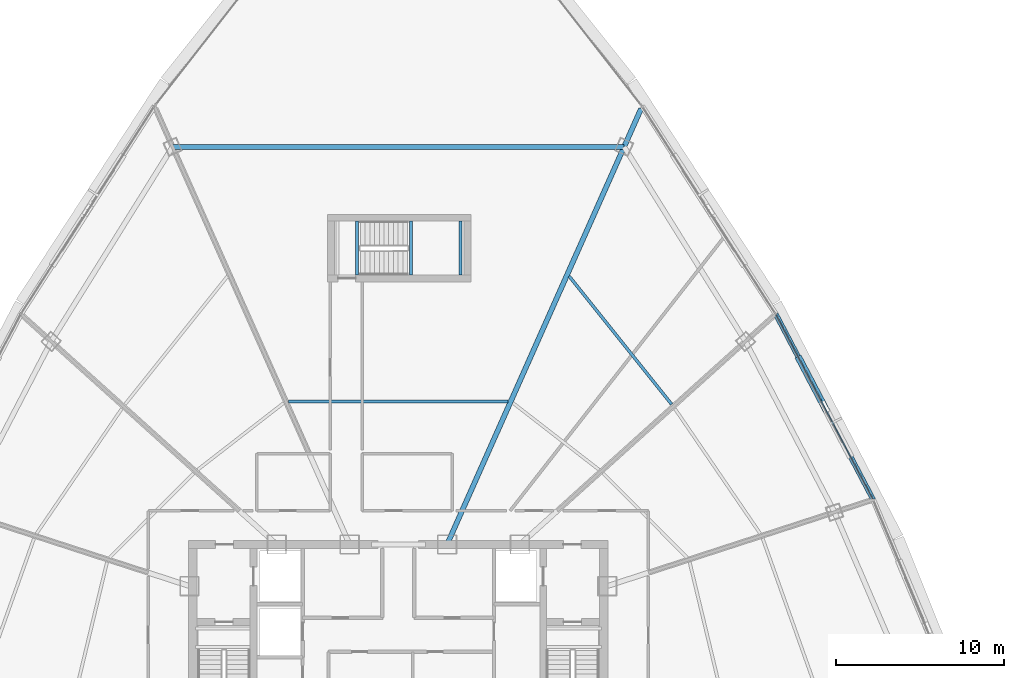
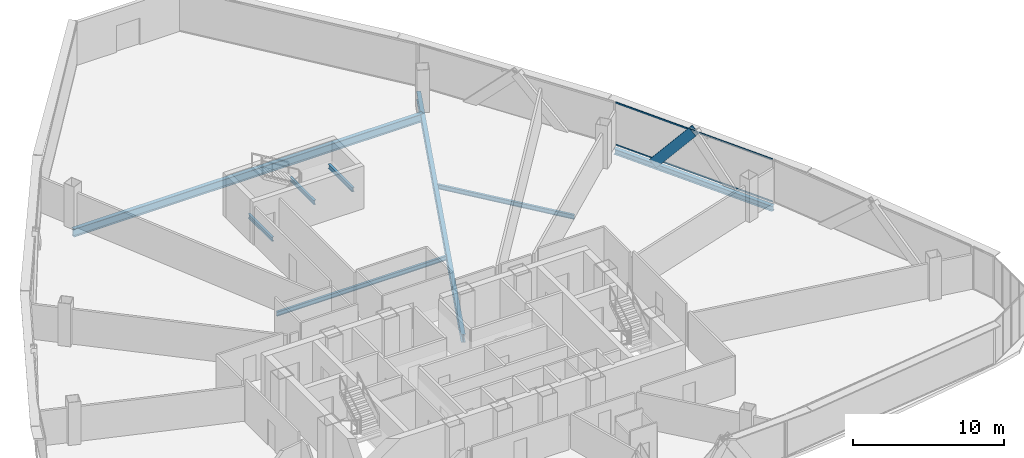
# One storey, part 20 of 36: 8 beams, 3 members, 1 element without a shape of its own.
"""IFC4 building model written with IfcOpenShell, lengths in metres."""

from ifc_helpers import new_model, si_unit, direction, frame, origin, origin_2d, place, context, subcontext, project, spatial, hollow_rectangle, i_section, extrude, source, transform, mapped, material, layer, layer_set, material_profile, profile_set, type_object, element, aggregate, save


model = new_model("IFC4")

# Units and contexts
model_context = context("Model", 3, precision=1e-05, world=origin(), true_north=direction((0.0, 1.0)))
body_context = subcontext(model_context, "Body", "Model", "MODEL_VIEW")
ifc_project = project(units=[si_unit("LENGTHUNIT", "METRE"), si_unit("AREAUNIT", "SQUARE_METRE"), si_unit("VOLUMEUNIT", "CUBIC_METRE"), si_unit("PLANEANGLEUNIT", "RADIAN"), si_unit("MASSUNIT", "GRAM", prefix="KILO"), si_unit("THERMODYNAMICTEMPERATUREUNIT", "KELVIN"), si_unit("POWERUNIT", "WATT")], contexts=[model_context])

# Site, building, storey
site_placement = place(None, origin())
site = spatial("IfcSite", under=ifc_project, at=site_placement, CompositionType="ELEMENT")
building_placement = place(site_placement, origin())
building = spatial("IfcBuilding", under=site, at=building_placement, Name="Yunzhuo Pagoda Commons", CompositionType="ELEMENT")
storey_placement = place(building_placement, frame((0.0, 0.0, 244.530029296875)))
storey = spatial("IfcBuildingStorey", under=building, at=storey_placement, Name="L61", CompositionType="ELEMENT", Elevation=244.530029296875)

# Beams
ifc_material_1 = material(Name="Structural steel Q355B", Category="steel")
ifc_material_profile_1 = material_profile(ifc_material_1, i_section(OverallWidth=0.175048828125, OverallDepth=0.35009765625, WebThickness=0.007080078125, FlangeThickness=0.010986328125, at=origin_2d()), Name="Structural steel Q355B")
ifc_profile_set_1 = profile_set([ifc_material_profile_1], Name="Structural steel Q355B")
beam_type_1 = type_object("IfcBeamType", Name="B-JS2 Joist HN 350x175x7x11", PredefinedType="JOIST", material=ifc_profile_set_1)
shared_shape_1 = source(origin(), body_context, "Body", "SweptSolid", [
    extrude(i_section(OverallWidth=0.175048828125, OverallDepth=0.35009765625, WebThickness=0.007080078125, FlangeThickness=0.010986328125, at=origin_2d()), origin(), (0.0, 0.0, 1.0), 3.199951171875),
])
for number, where, z_axis, x_axis, name in (
    (1, (48.75, 56.199951171875, 1.490234375), (0.0, 1.0, 0.0), (-1.0, 0.0, 0.0), "L61 ST3 landing support beam 67A"),
    (2, (51.699951171875, 56.199951171875, 1.490234375), (0.0, 1.0, 0.0), (-1.0, 0.0, 0.0), "L61 ST3 landing support beam 67B"),
    (3, (45.550048828125, 56.199951171875, -0.375), (0.0, 1.0, 0.0), (-1.0, 0.0, 0.0), "L61 ST3 landing support beam 135B"),
):
    element("IfcBeam", number, at=place(storey_placement, frame(where, z_axis=z_axis, x_axis=x_axis)), inside=storey, type_object=beam_type_1, Name=name, PredefinedType="JOIST", context=body_context, shape_type="MappedRepresentation", body=[
        mapped(shared_shape_1, transform((0.0, 0.0, 0.0), scale=1.0)),
    ])
ifc_material_profile_2 = material_profile(ifc_material_1, i_section(OverallWidth=0.300048828125, OverallDepth=0.64990234375, WebThickness=0.012939453125, FlangeThickness=0.02197265625, at=origin_2d()), Name="Structural steel Q355B")
ifc_profile_set_2 = profile_set([ifc_material_profile_2], Name="Structural steel Q355B")
beam_type_2 = type_object("IfcBeamType", Name="B-RG2 Beam HN 650x300x13x22", PredefinedType="BEAM", material=ifc_profile_set_2)
shared_shape_2 = source(origin(), body_context, "Body", "SweptSolid", [
    extrude(i_section(OverallWidth=0.300048828125, OverallDepth=0.64990234375, WebThickness=0.012939453125, FlangeThickness=0.02197265625, at=origin_2d()), origin(), (0.0, 0.0, 1.0), 26.8134765625),
])
beam_1_placement = place(storey_placement, frame((61.40673828125, 63.81201171875, -0.5849609375), z_axis=(-1.0, 0.0, 0.0), x_axis=(0.0, -1.0, 0.0)))
element("IfcBeam", 4, at=beam_1_placement, inside=storey, type_object=beam_type_2, Name="L61 column-ring beam 8", PredefinedType="BEAM", context=body_context, shape_type="MappedRepresentation", body=[
    mapped(shared_shape_2, transform((0.0, 0.0, 0.0), scale=1.0)),
])
shared_shape_3 = source(origin(), body_context, "Body", "SweptSolid", [
    extrude(i_section(OverallWidth=0.175048828125, OverallDepth=0.35009765625, WebThickness=0.007080078125, FlangeThickness=0.010986328125, at=origin_2d()), origin(), (0.0, 0.0, 1.0), 9.741455078125),
])
beam_2_placement = place(storey_placement, frame((64.226806640625, 48.5244140625, -0.43505859375), z_axis=(-0.624618636222, 0.780929932378, 0.0), x_axis=(-0.780929932378, -0.624618636222, 0.0)))
element("IfcBeam", 5, at=beam_2_placement, inside=storey, type_object=beam_type_1, Name="L61 composite ring joist 2.7", PredefinedType="JOIST", context=body_context, shape_type="MappedRepresentation", body=[
    mapped(shared_shape_3, transform((0.0, 0.0, 0.0), scale=1.0)),
])
shared_shape_4 = source(origin(), body_context, "Body", "SweptSolid", [
    extrude(i_section(OverallWidth=0.175048828125, OverallDepth=0.35009765625, WebThickness=0.007080078125, FlangeThickness=0.010986328125, at=origin_2d()), origin(), (0.0, 0.0, 1.0), 13.0390625),
])
beam_3_placement = place(storey_placement, frame((54.51953125, 48.7001953125, -0.43505859375), z_axis=(-1.0, 0.0, 0.0), x_axis=(0.0, -1.0, 0.0)))
element("IfcBeam", 6, at=beam_3_placement, inside=storey, type_object=beam_type_1, Name="L61 composite ring joist 1.8", PredefinedType="JOIST", context=body_context, shape_type="MappedRepresentation", body=[
    mapped(shared_shape_4, transform((0.0, 0.0, 0.0), scale=1.0)),
])
shared_shape_5 = source(origin(), body_context, "Body", "SweptSolid", [
    extrude(i_section(OverallWidth=0.300048828125, OverallDepth=0.64990234375, WebThickness=0.012939453125, FlangeThickness=0.02197265625, at=origin_2d()), origin(), (0.0, 0.0, 1.0), 28.330322265625),
])
beam_4_placement = place(storey_placement, frame((62.4169921875, 66.0810546875, -0.5849609375), z_axis=(-0.406734861617, -0.913546250797, 0.0), x_axis=(0.913546250797, -0.406734861617, 0.0)))
element("IfcBeam", 7, at=beam_4_placement, inside=storey, type_object=beam_type_2, Name="L61 radial floor girder F2C4", PredefinedType="BEAM", context=body_context, shape_type="MappedRepresentation", body=[
    mapped(shared_shape_5, transform((0.0, 0.0, 0.0), scale=1.0)),
])
ifc_material_profile_3 = material_profile(ifc_material_1, i_section(OverallWidth=0.300048828125, OverallDepth=0.43994140625, WebThickness=0.010986328125, FlangeThickness=0.01806640625, at=origin_2d()), Name="Structural steel Q355B")
ifc_profile_set_3 = profile_set([ifc_material_profile_3], Name="Structural steel Q355B")
beam_type_3 = type_object("IfcBeamType", Name="B-SP2 Beam HM 440x300x11x18", PredefinedType="BEAM", material=ifc_profile_set_3)
shared_shape_6 = source(origin(), body_context, "Body", "SweptSolid", [
    extrude(i_section(OverallWidth=0.300048828125, OverallDepth=0.43994140625, WebThickness=0.010986328125, FlangeThickness=0.01806640625, at=origin_2d()), origin(), (0.0, 0.0, 1.0), 12.4443359375),
])
beam_5_placement = place(storey_placement, frame((76.195556640625, 42.861083984375, -0.47998046875), z_axis=(-0.464783145673, 0.885424546474, 0.0), x_axis=(-0.885424546474, -0.464783145673, 0.0)))
element("IfcBeam", 8, at=beam_5_placement, inside=storey, type_object=beam_type_3, Name="L61 facade edge spandrel beam F2.2", PredefinedType="BEAM", context=body_context, shape_type="MappedRepresentation", body=[
    mapped(shared_shape_6, transform((0.0, 0.0, 0.0), scale=1.0)),
])

# Member
ifc_material_profile_4 = material_profile(ifc_material_1, hollow_rectangle(XDim=0.39990234375, YDim=0.719970703125, WallThickness=0.02392578125, at=origin_2d()), Name="Structural steel Q355B")
ifc_profile_set_4 = profile_set([ifc_material_profile_4], Name="Structural steel Q355B")
member_type_1 = type_object("IfcMemberType", Name="M-DL2 Brace BOX 720x400x24", PredefinedType="BRACE", material=ifc_profile_set_4)
shared_shape_7 = source(origin(), body_context, "Body", "SweptSolid", [
    extrude(hollow_rectangle(XDim=0.39990234375, YDim=0.719970703125, WallThickness=0.02392578125, at=origin_2d()), origin(), (0.0, 0.0, 1.0), 4.85693359375),
])
member_1_placement = place(storey_placement, frame((71.857666015625, 51.125, -0.259765625), z_axis=(0.297680826008, -0.567161897981, 0.767928061283), x_axis=(0.885448766828, 0.464737002318, 0.0)))
element("IfcMember", 9, at=member_1_placement, inside=storey, type_object=member_type_1, Name="L61 facade diamond brace F2.2R", PredefinedType="BRACE", context=body_context, shape_type="MappedRepresentation", body=[
    mapped(shared_shape_7, transform((0.0, 0.0, 0.0), scale=1.0)),
])

# Curtain wall, members
ifc_material_2 = material(Name="Anodized aluminium 6063-T6", Category="aluminium")
ifc_layer = layer(ifc_material_2, 0.139892578125)
ifc_layer_set = layer_set([ifc_layer], Name="Anodized aluminium 6063-T6")
curtain_wall_type = type_object("IfcCurtainWallType", Name="CW-HI High-Zone Ribbon Curtain Wall", PredefinedType="NOTDEFINED", material=ifc_layer_set)
curtain_wall_placement = place(storey_placement, origin())
curtain_wall = element("IfcCurtainWall", 10, at=curtain_wall_placement, inside=storey, type_object=curtain_wall_type, Name="L61 curtain wall CW-L61-F2B3", PredefinedType="NOTDEFINED")
ifc_material_profile_5 = material_profile(ifc_material_2, hollow_rectangle(XDim=0.054931640625, YDim=0.1201171875, WallThickness=0.00341796875, at=origin_2d()), Name="Anodized aluminium 6063-T6")
ifc_profile_set_5 = profile_set([ifc_material_profile_5], Name="Anodized aluminium 6063-T6")
member_type_2 = type_object("IfcMemberType", Name="CW-HI-T Transom RHS 120x55x3.5", PredefinedType="USERDEFINED", material=ifc_profile_set_5)
shared_shape_8 = source(origin(), body_context, "Body", "SweptSolid", [
    extrude(hollow_rectangle(XDim=0.054931640625, YDim=0.1201171875, WallThickness=0.00341796875, at=origin_2d()), origin(), (0.0, 0.0, 1.0), 12.32421875),
])
member_2_placement = place(storey_placement, frame((76.167724609375, 42.914306640625, 0.027587890625), z_axis=(-0.464781097507, 0.885425621608, 0.0), x_axis=(-0.885425621608, -0.464781097507, 0.0)))
member_2 = element("IfcMember", 11, at=member_2_placement, type_object=member_type_2, Name="CW transom 1.1", ObjectType="TRANSOM", PredefinedType="USERDEFINED", context=body_context, shape_type="MappedRepresentation", body=[
    mapped(shared_shape_8, transform((0.0, 0.0, 0.0), scale=1.0)),
])
member_3_placement = place(storey_placement, frame((76.167724609375, 42.914306640625, 3.4423828125), z_axis=(-0.464781097507, 0.885425621608, 0.0), x_axis=(-0.885425621608, -0.464781097507, 0.0)))
member_3 = element("IfcMember", 12, at=member_3_placement, type_object=member_type_2, Name="CW transom 1.2", ObjectType="TRANSOM", PredefinedType="USERDEFINED", context=body_context, shape_type="MappedRepresentation", body=[
    mapped(shared_shape_8, transform((0.0, 0.0, 0.0), scale=1.0)),
])
aggregate(curtain_wall, [member_2, member_3])

save(model, "model.ifc")
